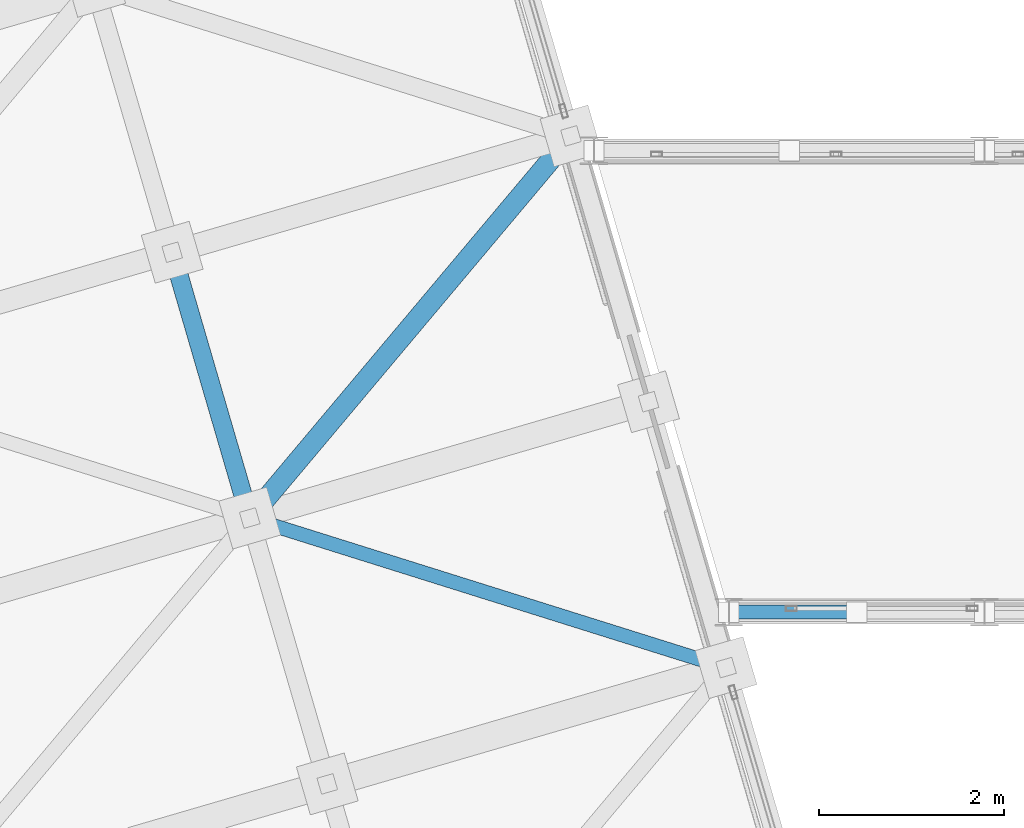
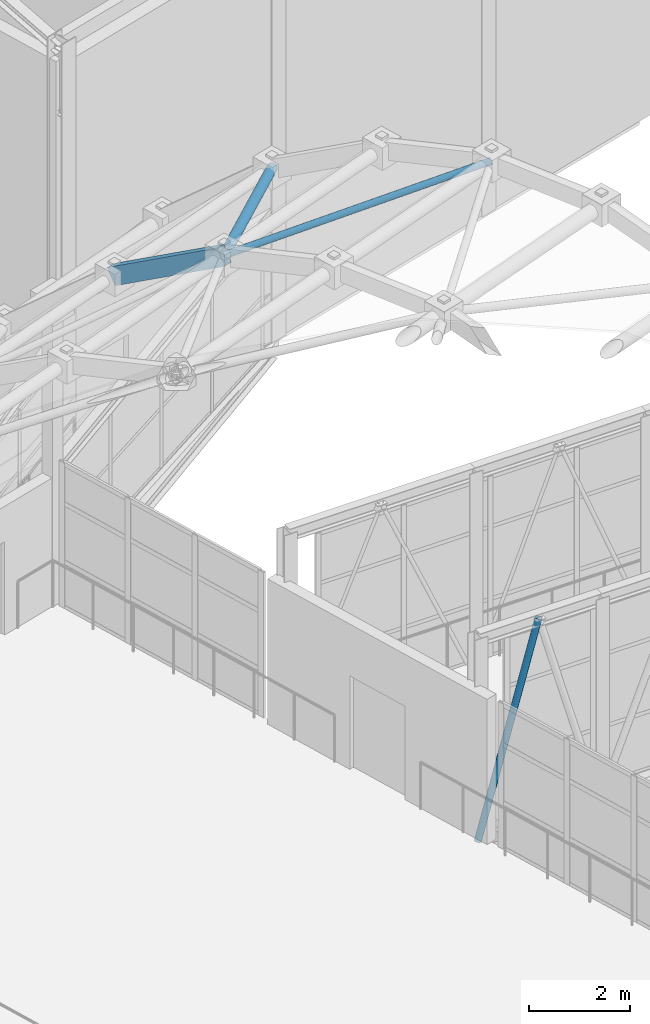
# One storey, part 121 of 248: 3 members, 1 beam.
"""IFC4 building model written with IfcOpenShell, lengths in metres."""

from ifc_helpers import new_model, si_unit, direction, frame, origin, origin_2d, place, context, subcontext, project, spatial, hollow_rectangle, hollow_circle, extrude, material, material_profile, profile_set, type_object, element, save


model = new_model("IFC4")

# Units and contexts
model_context = context("Model", 3, precision=1e-05, world=origin(), true_north=direction((0.0, 1.0)))
body_context = subcontext(model_context, "Body", "Model", "MODEL_VIEW")
ifc_project = project(units=[si_unit("LENGTHUNIT", "METRE"), si_unit("AREAUNIT", "SQUARE_METRE"), si_unit("VOLUMEUNIT", "CUBIC_METRE"), si_unit("PLANEANGLEUNIT", "RADIAN"), si_unit("MASSUNIT", "GRAM", prefix="KILO")], contexts=[model_context])

# Site, building, storey
site_placement = place(None, origin())
site = spatial("IfcSite", under=ifc_project, at=site_placement, CompositionType="ELEMENT")
building_placement = place(site_placement, origin())
building = spatial("IfcBuilding", under=site, at=building_placement, Name="Canggui Botanical Conservatory", CompositionType="ELEMENT")
storey_placement = place(building_placement, frame((0.0, 0.0, 5.39990234375)))
storey = spatial("IfcBuildingStorey", under=building, at=storey_placement, Name="L02", CompositionType="ELEMENT", Elevation=5.39990234375)

# Beam
ifc_material = material(Name="Steel Q355C", Category="steel")
ifc_material_profile_1 = material_profile(ifc_material, hollow_rectangle(XDim=0.199951171875, YDim=0.39990234375, WallThickness=0.011962890625, at=origin_2d()), Name="RHS 200x400x12")
ifc_profile_set_1 = profile_set([ifc_material_profile_1], Name="Steel Q355C")
beam_type = type_object("IfcBeamType", Name="BM-GJ04", PredefinedType="BEAM", material=ifc_profile_set_1)
beam_placement = place(storey_placement, frame((61.639892578125, 76.02001953125, 14.964111328125), z_axis=(-0.235803624532, 0.808587079936, -0.539058053291), x_axis=(-0.960010937337, -0.279962497833, 0.0)))
element("IfcBeam", 1, at=beam_placement, inside=storey, type_object=beam_type, Name="Conservatory Stepped-Arch Rib GJ-14 Segment 8", PredefinedType="BEAM", context=body_context, shape_type="SweptSolid", body=[
    extrude(hollow_rectangle(XDim=0.199951171875, YDim=0.39990234375, WallThickness=0.011962890625, at=origin_2d()), origin(), (0.0, 0.0, 1.0), 3.5615234375),
])

# Members
ifc_material_profile_2 = material_profile(ifc_material, hollow_circle(Radius=0.109619140625, WallThickness=0.008056640625, at=origin_2d()), Name="CHS 219x8")
ifc_profile_set_2 = profile_set([ifc_material_profile_2], Name="Steel Q355C")
member_type_1 = type_object("IfcMemberType", Name="MEM-GSD01", PredefinedType="RAFTER", material=ifc_profile_set_2)
member_1_placement = place(storey_placement, frame((61.639892578125, 76.02001953125, 14.964111328125), z_axis=(0.616423357883, 0.733264881068, -0.28695793777), x_axis=(-0.765457590849, 0.643486345318, 0.0)))
element("IfcMember", 2, at=member_1_placement, inside=storey, type_object=member_type_1, Name="Conservatory Gridshell Diagrid Rafter 14-8", PredefinedType="RAFTER", context=body_context, shape_type="SweptSolid", body=[
    extrude(hollow_circle(Radius=0.109619140625, WallThickness=0.008056640625, at=origin_2d()), origin(), (0.0, 0.0, 1.0), 5.645751953125),
])
ifc_material_profile_3 = material_profile(ifc_material, hollow_circle(Radius=0.075927734375, WallThickness=0.006103515625, at=origin_2d()), Name="CHS 152x6")
ifc_profile_set_3 = profile_set([ifc_material_profile_3], Name="Steel Q355C")
member_type_2 = type_object("IfcMemberType", Name="MEM-GSD04", PredefinedType="RAFTER", material=ifc_profile_set_3)
member_2_placement = place(storey_placement, frame((66.830078125, 75.0, -0.349853515625), z_axis=(0.272003336192, 0.0, 0.962296308369), x_axis=(0.0, 1.0, 0.0)))
element("IfcMember", 3, at=member_2_placement, inside=storey, type_object=member_type_2, Name="SB-04 Truss Web Rafter 1.1A", PredefinedType="RAFTER", context=body_context, shape_type="SweptSolid", body=[
    extrude(hollow_circle(Radius=0.075927734375, WallThickness=0.006103515625, at=origin_2d()), origin(), (0.0, 0.0, 1.0), 5.091796875),
])
member_3_placement = place(storey_placement, frame((61.639892578125, 76.02001953125, 14.964111328125), z_axis=(0.921456204168, -0.289306556154, 0.259268548741), x_axis=(0.299549572909, 0.954080737343, 0.0)))
element("IfcMember", 4, at=member_3_placement, inside=storey, type_object=member_type_2, Name="Conservatory Gridshell Diagrid Rafter 14-7", PredefinedType="RAFTER", context=body_context, shape_type="SweptSolid", body=[
    extrude(hollow_circle(Radius=0.075927734375, WallThickness=0.006103515625, at=origin_2d()), origin(), (0.0, 0.0, 1.0), 5.60009765625),
])

save(model, "model.ifc")
